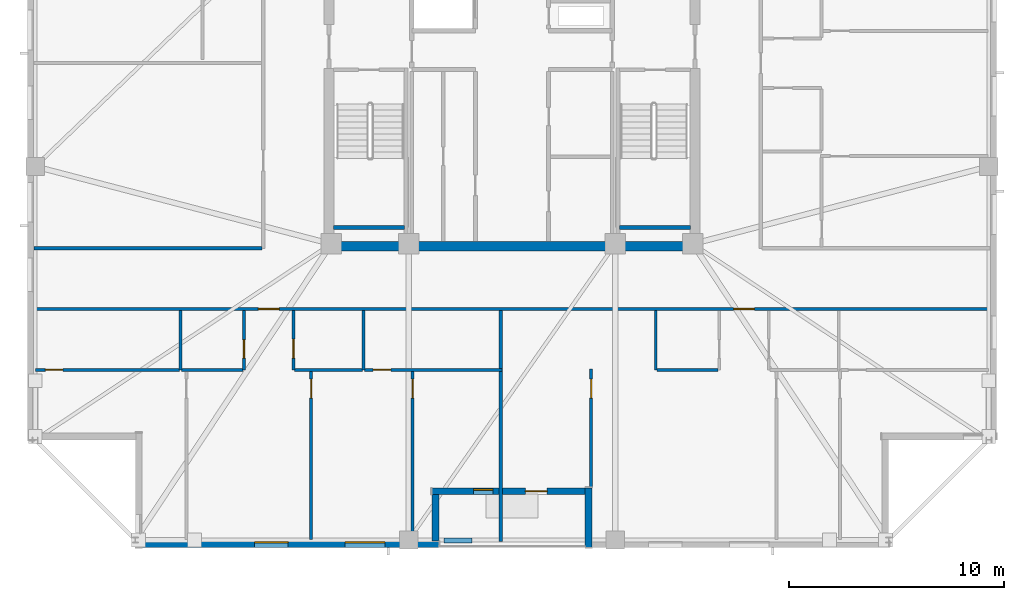
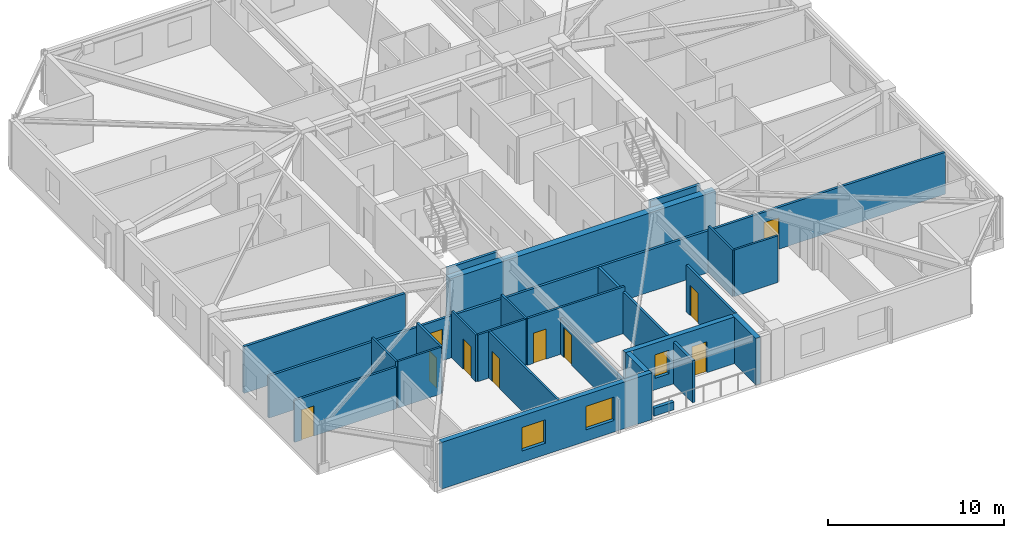
# One storey, part 7 of 17: 24 walls, 10 doors, 3 windows, 13 openings.
"""IFC4 building model written with IfcOpenShell, lengths in metres."""

from ifc_helpers import new_model, si_unit, direction, frame, frame_2d, origin, place, context, subcontext, project, spatial, rectangle, extrude, material, layer, layer_set, type_object, element, fill, save


model = new_model("IFC4")

# Units and contexts
model_context = context("Model", 3, precision=1e-05, world=origin(), true_north=direction((0.0, 1.0)))
body_context = subcontext(model_context, "Body", "Model", "MODEL_VIEW")
ifc_project = project(units=[si_unit("LENGTHUNIT", "METRE"), si_unit("AREAUNIT", "SQUARE_METRE"), si_unit("VOLUMEUNIT", "CUBIC_METRE"), si_unit("PLANEANGLEUNIT", "RADIAN"), si_unit("MASSUNIT", "GRAM", prefix="KILO")], contexts=[model_context])

# Site, building, storey
site_placement = place(None, origin())
site = spatial("IfcSite", under=ifc_project, at=site_placement, CompositionType="ELEMENT")
building_placement = place(site_placement, origin())
building = spatial("IfcBuilding", under=site, at=building_placement, Name="Cairnveth Concourse Tower", CompositionType="ELEMENT")
storey_placement = place(building_placement, frame((0.0, 0.0, 272.5)))
storey = spatial("IfcBuildingStorey", under=building, at=storey_placement, Name="L75", CompositionType="ELEMENT", Elevation=272.5)

# Wall, openings, doors
ifc_material_1 = material(Name="Gypsum Plasterboard Partition", Category="gypsum")
ifc_layer_1 = layer(ifc_material_1, 0.159912109375)
ifc_layer_set_1 = layer_set([ifc_layer_1], Name="Gypsum Plasterboard Partition")
wall_type_1 = type_object("IfcWallType", Name="ACOUSTIC PARTY WALL 180", PredefinedType="PARTITIONING", material=ifc_layer_set_1)
wall_1_placement = place(storey_placement, frame((29.804931640625, 27.577392578125, 0.0), z_axis=(0.0, 0.0, 1.0), x_axis=(1.0, 0.0, 0.0)))
wall_1 = element("IfcWall", 1, at=wall_1_placement, inside=storey, type_object=wall_type_1, Name="Interior Wall IW-L75-035", PredefinedType="PARTITIONING", context=body_context, shape_type="SweptSolid", body=[
    extrude(rectangle(XDim=44.39013671875, YDim=0.159912109375, at=frame_2d((22.195068359375, 0.0))), origin(), (0.0, 0.0, 1.0), 2.907958984375),
])
opening_1_placement = place(wall_1_placement, frame((10.4150390625, 0.0, 0.0)))
opening_1 = element("IfcOpeningElement", 2, at=opening_1_placement, cuts=wall_1, Name="Opening ID10", PredefinedType="OPENING", context=body_context, shape_type="SweptSolid", body=[
    extrude(rectangle(XDim=0.9599609375, YDim=2.179931640625, at=frame_2d((0.47998046875, 1.08984375))), frame((0.0, 0.08984375, 0.0), z_axis=(0.0, -1.0, 0.0), x_axis=(1.0, 0.0, 0.0)), (0.0, 0.0, 1.0), 0.179931640625),
])
opening_2_placement = place(wall_1_placement, frame((32.4951171875, 0.0, 0.0)))
opening_2 = element("IfcOpeningElement", 3, at=opening_2_placement, cuts=wall_1, Name="Opening ID10", PredefinedType="OPENING", context=body_context, shape_type="SweptSolid", body=[
    extrude(rectangle(XDim=0.9599609375, YDim=2.179931640625, at=frame_2d((0.47998046875, 1.08984375))), frame((0.0, 0.08984375, 0.0), z_axis=(0.0, -1.0, 0.0), x_axis=(1.0, 0.0, 0.0)), (0.0, 0.0, 1.0), 0.179931640625),
])
ifc_material_2 = material(Name="Solid Core Hardwood Timber Leaf", Category="wood")
door_type_1 = type_object("IfcDoorType", Name="FLAT ENTRANCE DOOR 960X2150", OperationType="NOTDEFINED", PredefinedType="DOOR", material=ifc_material_2)
door_1_placement = place(opening_1_placement, origin())
door_1 = element("IfcDoor", 4, at=door_1_placement, inside=storey, type_object=door_type_1, Name="Apartment L75S1 Entrance Door", OperationType="SINGLE_SWING_LEFT", OverallHeight=2.179931640625, OverallWidth=0.9599609375, PredefinedType="DOOR", context=body_context, shape_type="SweptSolid", body=[
    extrude(rectangle(XDim=0.9599609375, YDim=2.179931640625, at=frame_2d((0.47998046875, 1.08984375))), frame((0.0, 0.02490234375, 0.0), z_axis=(0.0, -1.0, 0.0), x_axis=(1.0, 0.0, 0.0)), (0.0, 0.0, 1.0), 0.050048828125),
])
fill(opening_1, door_1)
door_2_placement = place(opening_2_placement, origin())
door_2 = element("IfcDoor", 5, at=door_2_placement, inside=storey, type_object=door_type_1, Name="Apartment L75S2 Entrance Door", OperationType="SINGLE_SWING_RIGHT", OverallHeight=2.179931640625, OverallWidth=0.9599609375, PredefinedType="DOOR", context=body_context, shape_type="SweptSolid", body=[
    extrude(rectangle(XDim=0.9599609375, YDim=2.179931640625, at=frame_2d((0.47998046875, 1.08984375))), frame((0.0, 0.02490234375, 0.0), z_axis=(0.0, -1.0, 0.0), x_axis=(1.0, 0.0, 0.0)), (0.0, 0.0, 1.0), 0.050048828125),
])
fill(opening_2, door_2)

# Walls
wall_2_placement = place(storey_placement, frame((29.804931640625, 30.39990234375, 0.0), z_axis=(0.0, 0.0, 1.0), x_axis=(1.0, 0.0, 0.0)))
element("IfcWall", 6, at=wall_2_placement, inside=storey, type_object=wall_type_1, Name="Interior Wall IW-L75-039", PredefinedType="PARTITIONING", context=body_context, shape_type="SweptSolid", body=[
    extrude(rectangle(XDim=10.580078125, YDim=0.159912109375, at=frame_2d((5.2900390625, 0.0))), origin(), (0.0, 0.0, 1.0), 3.239990234375),
])
wall_3_placement = place(storey_placement, frame((51.47998046875, 16.77001953125, 0.0), z_axis=(0.0, 0.0, 1.0), x_axis=(0.0, 1.0, 0.0)))
element("IfcWall", 7, at=wall_3_placement, inside=storey, type_object=wall_type_1, Name="Interior Wall IW-L75-054", PredefinedType="PARTITIONING", context=body_context, shape_type="SweptSolid", body=[
    extrude(rectangle(XDim=10.742431640625, YDim=0.159912109375, at=frame_2d((5.37109375, 0.0))), origin(), (0.0, 0.0, 1.0), 2.907958984375),
])
ifc_material_3 = material(Name="Concrete N65 (65 MPa)", Category="concrete")
ifc_layer_2 = layer(ifc_material_3, 0.449951171875)
ifc_layer_set_2 = layer_set([ifc_layer_2], Name="Concrete N65 (65 MPa)")
wall_type_2 = type_object("IfcWallType", Name="CORE SHEAR WALL 450", PredefinedType="SHEAR", material=ifc_layer_set_2)
wall_4_placement = place(storey_placement, frame((43.27490234375, 30.5, 0.0), z_axis=(0.0, 0.0, 1.0), x_axis=(1.0, 0.0, 0.0)))
element("IfcWall", 8, at=wall_4_placement, inside=storey, type_object=wall_type_2, Name="Core South Shear Wall L75", PredefinedType="SHEAR", context=body_context, shape_type="SweptSolid", body=[
    extrude(rectangle(XDim=17.4501953125, YDim=0.449951171875, at=frame_2d((8.72509765625, 0.0))), origin(), (0.0, 0.0, 1.0), 3.239990234375),
])
ifc_material_4 = material(Name="Concrete N50 (50 MPa)", Category="concrete")
ifc_layer_3 = layer(ifc_material_4, 0.179931640625)
ifc_layer_set_3 = layer_set([ifc_layer_3], Name="Concrete N50 (50 MPa)")
wall_type_3 = type_object("IfcWallType", Name="FIRE SHAFT WALL 180", PredefinedType="SOLIDWALL", material=ifc_layer_set_3)
for number, where, z_axis, x_axis, name in (
    (9, (43.715087890625, 31.360107421875, 0.0), (0.0, 0.0, 1.0), (1.0, 0.0, 0.0), "Stair ST-1 Shaft Wall FAR L75"),
    (10, (57.0048828125, 31.360107421875, 0.0), (0.0, 0.0, 1.0), (1.0, 0.0, 0.0), "Stair ST-2 Shaft Wall FAR L75"),
):
    element("IfcWall", number, at=place(storey_placement, frame(where, z_axis=z_axis, x_axis=x_axis)), inside=storey, type_object=wall_type_3, Name=name, PredefinedType="SOLIDWALL", context=body_context, shape_type="SweptSolid", body=[
        extrude(rectangle(XDim=3.280029296875, YDim=0.179931640625, at=frame_2d((1.64013671875, 0.0))), origin(), (0.0, 0.0, 1.0), 3.239990234375),
    ])

# Wall, opening, door
ifc_layer_4 = layer(ifc_material_1, 0.139892578125)
ifc_layer_set_4 = layer_set([ifc_layer_4], Name="Gypsum Plasterboard Partition")
wall_type_4 = type_object("IfcWallType", Name="GYPSUM STUD PARTITION 140", PredefinedType="PARTITIONING", material=ifc_layer_set_4)
wall_5_placement = place(storey_placement, frame((29.8701171875, 24.74755859375, 0.0), z_axis=(0.0, 0.0, 1.0), x_axis=(1.0, 0.0, 0.0)))
wall_5 = element("IfcWall", 11, at=wall_5_placement, inside=storey, type_object=wall_type_4, Name="Interior Wall IW-L75-050", PredefinedType="PARTITIONING", context=body_context, shape_type="SweptSolid", body=[
    extrude(rectangle(XDim=6.679931640625, YDim=0.139892578125, at=frame_2d((3.33984375, 0.0))), origin(), (0.0, 0.0, 1.0), 2.907958984375),
])
opening_3_placement = place(wall_5_placement, frame((0.449951171875, 0.0, 0.0)))
opening_3 = element("IfcOpeningElement", 12, at=opening_3_placement, cuts=wall_5, Name="Opening ID22", PredefinedType="OPENING", context=body_context, shape_type="SweptSolid", body=[
    extrude(rectangle(XDim=0.820068359375, YDim=2.10009765625, at=frame_2d((0.41015625, 1.050048828125))), frame((0.0, 0.079833984375, 0.0), z_axis=(0.0, -1.0, 0.0), x_axis=(1.0, 0.0, 0.0)), (0.0, 0.0, 1.0), 0.159912109375),
])
door_type_2 = type_object("IfcDoorType", Name="INTERIOR WC DOOR 820X2100", OperationType="NOTDEFINED", PredefinedType="DOOR", material=ifc_material_2)
door_3_placement = place(opening_3_placement, origin())
door_3 = element("IfcDoor", 13, at=door_3_placement, inside=storey, type_object=door_type_2, Name="L75S1 Dressing Door", OperationType="SINGLE_SWING_RIGHT", OverallHeight=2.10009765625, OverallWidth=0.820068359375, PredefinedType="DOOR", context=body_context, shape_type="SweptSolid", body=[
    extrude(rectangle(XDim=0.820068359375, YDim=2.10009765625, at=frame_2d((0.41015625, 1.050048828125))), frame((0.0, 0.02490234375, 0.0), z_axis=(0.0, -1.0, 0.0), x_axis=(1.0, 0.0, 0.0)), (0.0, 0.0, 1.0), 0.050048828125),
])
fill(opening_3, door_3)

wall_6_placement = place(storey_placement, frame((47.3798828125, 16.8798828125, 0.0), z_axis=(0.0, 0.0, 1.0), x_axis=(0.0, 1.0, 0.0)))
wall_6 = element("IfcWall", 14, at=wall_6_placement, inside=storey, type_object=wall_type_4, Name="Interior Wall IW-L75-051", PredefinedType="PARTITIONING", context=body_context, shape_type="SweptSolid", body=[
    extrude(rectangle(XDim=7.90771484375, YDim=0.139892578125, at=frame_2d((3.953857421875, 0.0))), origin(), (0.0, 0.0, 1.0), 2.52294921875),
])
opening_4_placement = place(wall_6_placement, frame((6.5576171875, 0.0, 0.0)))
opening_4 = element("IfcOpeningElement", 15, at=opening_4_placement, cuts=wall_6, Name="Opening ID18", PredefinedType="OPENING", context=body_context, shape_type="SweptSolid", body=[
    extrude(rectangle(XDim=0.8798828125, YDim=2.10009765625, at=frame_2d((0.43994140625, 1.050048828125))), frame((0.0, 0.079833984375, 0.0), z_axis=(0.0, -1.0, 0.0), x_axis=(1.0, 0.0, 0.0)), (0.0, 0.0, 1.0), 0.159912109375),
])
door_type_3 = type_object("IfcDoorType", Name="INTERIOR SINGLE DOOR 880X2100", OperationType="NOTDEFINED", PredefinedType="DOOR", material=ifc_material_2)
door_4_placement = place(opening_4_placement, origin())
door_4 = element("IfcDoor", 16, at=door_4_placement, inside=storey, type_object=door_type_3, Name="L75S1 Bedroom 2 Door", OperationType="SINGLE_SWING_LEFT", OverallHeight=2.10009765625, OverallWidth=0.8798828125, PredefinedType="DOOR", context=body_context, shape_type="SweptSolid", body=[
    extrude(rectangle(XDim=0.8798828125, YDim=2.10009765625, at=frame_2d((0.43994140625, 1.050048828125))), frame((0.0, 0.02490234375, 0.0), z_axis=(0.0, -1.0, 0.0), x_axis=(1.0, 0.0, 0.0)), (0.0, 0.0, 1.0), 0.050048828125),
])
fill(opening_4, door_4)

wall_7_placement = place(storey_placement, frame((45.14990234375, 24.74755859375, 0.0), z_axis=(0.0, 0.0, 1.0), x_axis=(1.0, 0.0, 0.0)))
wall_7 = element("IfcWall", 17, at=wall_7_placement, inside=storey, type_object=wall_type_4, Name="Interior Wall IW-L75-052", PredefinedType="PARTITIONING", context=body_context, shape_type="SweptSolid", body=[
    extrude(rectangle(XDim=6.380126953125, YDim=0.139892578125, at=frame_2d((3.18994140625, 0.0))), origin(), (0.0, 0.0, 1.0), 3.239990234375),
])
opening_5_placement = place(wall_7_placement, frame((0.39990234375, 0.0, 0.0)))
opening_5 = element("IfcOpeningElement", 18, at=opening_5_placement, cuts=wall_7, Name="Opening ID22", PredefinedType="OPENING", context=body_context, shape_type="SweptSolid", body=[
    extrude(rectangle(XDim=0.820068359375, YDim=2.10009765625, at=frame_2d((0.41015625, 1.050048828125))), frame((0.0, 0.079833984375, 0.0), z_axis=(0.0, -1.0, 0.0), x_axis=(1.0, 0.0, 0.0)), (0.0, 0.0, 1.0), 0.159912109375),
])
door_5_placement = place(opening_5_placement, origin())
door_5 = element("IfcDoor", 19, at=door_5_placement, inside=storey, type_object=door_type_2, Name="L75S1 Utility Door", OperationType="SINGLE_SWING_RIGHT", OverallHeight=2.10009765625, OverallWidth=0.820068359375, PredefinedType="DOOR", context=body_context, shape_type="SweptSolid", body=[
    extrude(rectangle(XDim=0.820068359375, YDim=2.10009765625, at=frame_2d((0.41015625, 1.050048828125))), frame((0.0, 0.02490234375, 0.0), z_axis=(0.0, -1.0, 0.0), x_axis=(1.0, 0.0, 0.0)), (0.0, 0.0, 1.0), 0.050048828125),
])
fill(opening_5, door_5)

wall_8_placement = place(storey_placement, frame((42.669921875, 16.8798828125, 0.0), z_axis=(0.0, 0.0, 1.0), x_axis=(0.0, 1.0, 0.0)))
wall_8 = element("IfcWall", 20, at=wall_8_placement, inside=storey, type_object=wall_type_4, Name="Interior Wall IW-L75-053", PredefinedType="PARTITIONING", context=body_context, shape_type="SweptSolid", body=[
    extrude(rectangle(XDim=7.817626953125, YDim=0.139892578125, at=frame_2d((3.90869140625, 0.0))), origin(), (0.0, 0.0, 1.0), 3.239990234375),
])
opening_6_placement = place(wall_8_placement, frame((6.5576171875, 0.0, 0.0)))
opening_6 = element("IfcOpeningElement", 21, at=opening_6_placement, cuts=wall_8, Name="Opening ID18", PredefinedType="OPENING", context=body_context, shape_type="SweptSolid", body=[
    extrude(rectangle(XDim=0.8798828125, YDim=2.10009765625, at=frame_2d((0.43994140625, 1.050048828125))), frame((0.0, 0.079833984375, 0.0), z_axis=(0.0, -1.0, 0.0), x_axis=(1.0, 0.0, 0.0)), (0.0, 0.0, 1.0), 0.159912109375),
])
door_6_placement = place(opening_6_placement, origin())
door_6 = element("IfcDoor", 22, at=door_6_placement, inside=storey, type_object=door_type_3, Name="L75S1 Media Lounge Door", OperationType="SINGLE_SWING_RIGHT", OverallHeight=2.10009765625, OverallWidth=0.8798828125, PredefinedType="DOOR", context=body_context, shape_type="SweptSolid", body=[
    extrude(rectangle(XDim=0.8798828125, YDim=2.10009765625, at=frame_2d((0.43994140625, 1.050048828125))), frame((0.0, 0.02490234375, 0.0), z_axis=(0.0, -1.0, 0.0), x_axis=(1.0, 0.0, 0.0)), (0.0, 0.0, 1.0), 0.050048828125),
])
fill(opening_6, door_6)

wall_9_placement = place(storey_placement, frame((55.679931640625, 19.260009765625, 0.0), z_axis=(0.0, 0.0, 1.0), x_axis=(0.0, 1.0, 0.0)))
wall_9 = element("IfcWall", 23, at=wall_9_placement, inside=storey, type_object=wall_type_4, Name="Interior Wall IW-L75-061", PredefinedType="PARTITIONING", context=body_context, shape_type="SweptSolid", body=[
    extrude(rectangle(XDim=5.527587890625, YDim=0.139892578125, at=frame_2d((2.763671875, 0.0))), origin(), (0.0, 0.0, 1.0), 3.239990234375),
])
opening_7_placement = place(wall_9_placement, frame((4.177490234375, 0.0, 0.0)))
opening_7 = element("IfcOpeningElement", 24, at=opening_7_placement, cuts=wall_9, Name="Opening ID18", PredefinedType="OPENING", context=body_context, shape_type="SweptSolid", body=[
    extrude(rectangle(XDim=0.8798828125, YDim=2.10009765625, at=frame_2d((0.43994140625, 1.050048828125))), frame((0.0, 0.079833984375, 0.0), z_axis=(0.0, -1.0, 0.0), x_axis=(1.0, 0.0, 0.0)), (0.0, 0.0, 1.0), 0.159912109375),
])
door_7_placement = place(opening_7_placement, origin())
door_7 = element("IfcDoor", 25, at=door_7_placement, inside=storey, type_object=door_type_3, Name="L75S2 Master Bedroom Door", OperationType="SINGLE_SWING_RIGHT", OverallHeight=2.10009765625, OverallWidth=0.8798828125, PredefinedType="DOOR", context=body_context, shape_type="SweptSolid", body=[
    extrude(rectangle(XDim=0.8798828125, YDim=2.10009765625, at=frame_2d((0.43994140625, 1.050048828125))), frame((0.0, 0.02490234375, 0.0), z_axis=(0.0, -1.0, 0.0), x_axis=(1.0, 0.0, 0.0)), (0.0, 0.0, 1.0), 0.050048828125),
])
fill(opening_7, door_7)

# Walls
ifc_material_5 = material(Name="Dressed Melbourne Bluestone Cladding", Category="masonry")
ifc_layer_5 = layer(ifc_material_5, 0.219970703125)
ifc_layer_set_5 = layer_set([ifc_layer_5], Name="Dressed Melbourne Bluestone Cladding")
wall_type_5 = type_object("IfcWallType", Name="TERRACE PLANTER CURB WALL 220", PredefinedType="PARAPET", material=ifc_layer_set_5)
wall_10_placement = place(storey_placement, frame((48.85009765625, 16.820068359375, 0.0), z_axis=(0.0, 0.0, 1.0), x_axis=(1.0, 0.0, 0.0)))
element("IfcWall", 26, at=wall_10_placement, inside=storey, type_object=wall_type_5, Name="Exterior Wall PLNT-L75-TERR", PredefinedType="PARAPET", context=body_context, shape_type="SweptSolid", body=[
    extrude(rectangle(XDim=1.2998046875, YDim=0.219970703125, at=frame_2d((0.64990234375, 0.0))), origin(), (0.0, 0.0, 1.0), 0.550048828125),
])
ifc_layer_6 = layer(ifc_material_1, 0.1298828125)
ifc_layer_set_6 = layer_set([ifc_layer_6], Name="Gypsum Plasterboard Partition")
wall_type_6 = type_object("IfcWallType", Name="WET AREA PARTITION 140", PredefinedType="PLUMBINGWALL", material=ifc_layer_set_6)
wall_11_placement = place(storey_placement, frame((36.60009765625, 24.74755859375, 0.0), z_axis=(0.0, 0.0, 1.0), x_axis=(0.0, 1.0, 0.0)))
element("IfcWall", 27, at=wall_11_placement, inside=storey, type_object=wall_type_6, Name="Interior Wall IW-L75-043", PredefinedType="PLUMBINGWALL", context=body_context, shape_type="SweptSolid", body=[
    extrude(rectangle(XDim=2.75, YDim=0.1298828125, at=frame_2d((1.375, 0.0))), origin(), (0.0, 0.0, 1.0), 3.239990234375),
])

# Wall, opening, door
wall_12_placement = place(storey_placement, frame((39.550048828125, 24.74755859375, 0.0), z_axis=(0.0, 0.0, 1.0), x_axis=(0.0, 1.0, 0.0)))
wall_12 = element("IfcWall", 28, at=wall_12_placement, inside=storey, type_object=wall_type_6, Name="Interior Wall IW-L75-044", PredefinedType="PLUMBINGWALL", context=body_context, shape_type="SweptSolid", body=[
    extrude(rectangle(XDim=2.75, YDim=0.1298828125, at=frame_2d((1.375, 0.0))), origin(), (0.0, 0.0, 1.0), 3.239990234375),
])
opening_8_placement = place(wall_12_placement, frame((0.550048828125, 0.0, 0.0)))
opening_8 = element("IfcOpeningElement", 29, at=opening_8_placement, cuts=wall_12, Name="Opening ID21", PredefinedType="OPENING", context=body_context, shape_type="SweptSolid", body=[
    extrude(rectangle(XDim=0.85009765625, YDim=2.080078125, at=frame_2d((0.425048828125, 1.0400390625))), frame((0.0, 0.074951171875, 0.0), z_axis=(0.0, -1.0, 0.0), x_axis=(1.0, 0.0, 0.0)), (0.0, 0.0, 1.0), 0.14990234375),
])
door_type_4 = type_object("IfcDoorType", Name="INTERIOR WC DOOR 850X2100", OperationType="NOTDEFINED", PredefinedType="DOOR", material=ifc_material_2)
door_8_placement = place(opening_8_placement, origin())
door_8 = element("IfcDoor", 30, at=door_8_placement, inside=storey, type_object=door_type_4, Name="L75S1 Bathroom Door", OperationType="SINGLE_SWING_RIGHT", OverallHeight=2.080078125, OverallWidth=0.85009765625, PredefinedType="DOOR", context=body_context, shape_type="SweptSolid", body=[
    extrude(rectangle(XDim=0.85009765625, YDim=2.080078125, at=frame_2d((0.425048828125, 1.0400390625))), frame((0.0, 0.02490234375, 0.0), z_axis=(0.0, -1.0, 0.0), x_axis=(1.0, 0.0, 0.0)), (0.0, 0.0, 1.0), 0.050048828125),
])
fill(opening_8, door_8)

# Walls
wall_13_placement = place(storey_placement, frame((36.64990234375, 24.74755859375, 0.0), z_axis=(0.0, 0.0, 1.0), x_axis=(1.0, 0.0, 0.0)))
element("IfcWall", 31, at=wall_13_placement, inside=storey, type_object=wall_type_6, Name="Interior Wall IW-L75-045", PredefinedType="PLUMBINGWALL", context=body_context, shape_type="SweptSolid", body=[
    extrude(rectangle(XDim=2.85009765625, YDim=0.1298828125, at=frame_2d((1.425048828125, 0.0))), origin(), (0.0, 0.0, 1.0), 3.239990234375),
])
wall_14_placement = place(storey_placement, frame((45.10009765625, 24.74755859375, 0.0), z_axis=(0.0, 0.0, 1.0), x_axis=(0.0, 1.0, 0.0)))
element("IfcWall", 32, at=wall_14_placement, inside=storey, type_object=wall_type_6, Name="Interior Wall IW-L75-046", PredefinedType="PLUMBINGWALL", context=body_context, shape_type="SweptSolid", body=[
    extrude(rectangle(XDim=2.75, YDim=0.1298828125, at=frame_2d((1.375, 0.0))), origin(), (0.0, 0.0, 1.0), 3.239990234375),
])

# Wall, opening, door
wall_15_placement = place(storey_placement, frame((41.85009765625, 24.74755859375, 0.0), z_axis=(0.0, 0.0, 1.0), x_axis=(0.0, 1.0, 0.0)))
wall_15 = element("IfcWall", 33, at=wall_15_placement, inside=storey, type_object=wall_type_6, Name="Interior Wall IW-L75-047", PredefinedType="PLUMBINGWALL", context=body_context, shape_type="SweptSolid", body=[
    extrude(rectangle(XDim=2.75, YDim=0.1298828125, at=frame_2d((1.375, 0.0))), origin(), (0.0, 0.0, 1.0), 3.239990234375),
])
opening_9_placement = place(wall_15_placement, frame((0.550048828125, 0.0, 0.0)))
opening_9 = element("IfcOpeningElement", 34, at=opening_9_placement, cuts=wall_15, Name="Opening ID18", PredefinedType="OPENING", context=body_context, shape_type="SweptSolid", body=[
    extrude(rectangle(XDim=0.8798828125, YDim=2.10009765625, at=frame_2d((0.43994140625, 1.050048828125))), frame((0.0, 0.074951171875, 0.0), z_axis=(0.0, -1.0, 0.0), x_axis=(1.0, 0.0, 0.0)), (0.0, 0.0, 1.0), 0.14990234375),
])
door_9_placement = place(opening_9_placement, origin())
door_9 = element("IfcDoor", 35, at=door_9_placement, inside=storey, type_object=door_type_3, Name="L75S1 Kitchen Door", OperationType="SINGLE_SWING_LEFT", OverallHeight=2.10009765625, OverallWidth=0.8798828125, PredefinedType="DOOR", context=body_context, shape_type="SweptSolid", body=[
    extrude(rectangle(XDim=0.8798828125, YDim=2.10009765625, at=frame_2d((0.43994140625, 1.050048828125))), frame((0.0, 0.02490234375, 0.0), z_axis=(0.0, -1.0, 0.0), x_axis=(1.0, 0.0, 0.0)), (0.0, 0.0, 1.0), 0.050048828125),
])
fill(opening_9, door_9)

# Walls
wall_16_placement = place(storey_placement, frame((41.89990234375, 24.74755859375, 0.0), z_axis=(0.0, 0.0, 1.0), x_axis=(1.0, 0.0, 0.0)))
element("IfcWall", 36, at=wall_16_placement, inside=storey, type_object=wall_type_6, Name="Interior Wall IW-L75-048", PredefinedType="PLUMBINGWALL", context=body_context, shape_type="SweptSolid", body=[
    extrude(rectangle(XDim=3.150146484375, YDim=0.1298828125, at=frame_2d((1.5751953125, 0.0))), origin(), (0.0, 0.0, 1.0), 3.239990234375),
])
wall_17_placement = place(storey_placement, frame((58.679931640625, 24.74755859375, 0.0), z_axis=(0.0, 0.0, 1.0), x_axis=(0.0, 1.0, 0.0)))
element("IfcWall", 37, at=wall_17_placement, inside=storey, type_object=wall_type_6, Name="Interior Wall IW-L75-055", PredefinedType="PLUMBINGWALL", context=body_context, shape_type="SweptSolid", body=[
    extrude(rectangle(XDim=2.75, YDim=0.1298828125, at=frame_2d((1.375, 0.0))), origin(), (0.0, 0.0, 1.0), 3.239990234375),
])
wall_18_placement = place(storey_placement, frame((58.72998046875, 24.74755859375, 0.0), z_axis=(0.0, 0.0, 1.0), x_axis=(1.0, 0.0, 0.0)))
element("IfcWall", 38, at=wall_18_placement, inside=storey, type_object=wall_type_6, Name="Interior Wall IW-L75-057", PredefinedType="PLUMBINGWALL", context=body_context, shape_type="SweptSolid", body=[
    extrude(rectangle(XDim=2.85009765625, YDim=0.1298828125, at=frame_2d((1.425048828125, 0.0))), origin(), (0.0, 0.0, 1.0), 3.239990234375),
])

# Wall, openings, windows
ifc_material_6 = material(Name="Melbourne Buff Fired Clay Brick Masonry", Category="masonry")
ifc_layer_7 = layer(ifc_material_6, 0.320068359375)
ifc_layer_set_7 = layer_set([ifc_layer_7], Name="Melbourne Buff Fired Clay Brick Masonry")
wall_type_7 = type_object("IfcWallType", Name="ZONE 3 BRICK PIER SPANDREL WALL 320", PredefinedType="SOLIDWALL", material=ifc_layer_set_7)
wall_19_placement = place(storey_placement, frame((48.60009765625, 16.659912109375, 0.0), z_axis=(0.0, 0.0, 1.0), x_axis=(-1.0, 0.0, 0.0)))
wall_19 = element("IfcWall", 39, at=wall_19_placement, inside=storey, type_object=wall_type_7, Name="Exterior Wall EW-L75-S00", PredefinedType="SOLIDWALL", context=body_context, shape_type="SweptSolid", body=[
    extrude(rectangle(XDim=13.802001953125, YDim=0.320068359375, at=frame_2d((6.90087890625, 0.0))), origin(), (0.0, 0.0, 1.0), 3.239990234375),
])
opening_10_placement = place(wall_19_placement, frame((2.50048828125, 0.0, 0.800048828125)))
opening_10 = element("IfcOpeningElement", 40, at=opening_10_placement, cuts=wall_19, Name="Opening W08", PredefinedType="OPENING", context=body_context, shape_type="SweptSolid", body=[
    extrude(rectangle(XDim=1.85009765625, YDim=1.6279296875, at=frame_2d((0.925048828125, 0.81396484375))), frame((0.0, 0.169921875, 0.0), z_axis=(0.0, -1.0, 0.0), x_axis=(1.0, 0.0, 0.0)), (0.0, 0.0, 1.0), 0.340087890625),
])
opening_11_placement = place(wall_19_placement, frame((7.00146484375, 0.0, 0.800048828125)))
opening_11 = element("IfcOpeningElement", 41, at=opening_11_placement, cuts=wall_19, Name="Opening W07", PredefinedType="OPENING", context=body_context, shape_type="SweptSolid", body=[
    extrude(rectangle(XDim=1.550048828125, YDim=1.6279296875, at=frame_2d((0.77490234375, 0.81396484375))), frame((0.0, 0.169921875, 0.0), z_axis=(0.0, -1.0, 0.0), x_axis=(1.0, 0.0, 0.0)), (0.0, 0.0, 1.0), 0.340087890625),
])
ifc_material_7 = material(Name="Double Glazed Low-E Clear Glass", Category="glass")
window_type_1 = type_object("IfcWindowType", Name="DEEP-SET APARTMENT LIVING WINDOW 1850X1850", PartitioningType="DOUBLE_PANEL_VERTICAL", PredefinedType="WINDOW", material=ifc_material_7)
window_1_placement = place(opening_10_placement, origin())
window_1 = element("IfcWindow", 42, at=window_1_placement, inside=storey, type_object=window_type_1, Name="Gothic Lancet Window L75-0-1", OverallHeight=1.6279296875, OverallWidth=1.85009765625, PartitioningType="SINGLE_PANEL", PredefinedType="WINDOW", context=body_context, shape_type="SweptSolid", body=[
    extrude(rectangle(XDim=1.85009765625, YDim=1.6279296875, at=frame_2d((0.925048828125, 0.81396484375))), frame((0.0, -0.050048828125, 0.0), z_axis=(0.0, -1.0, 0.0), x_axis=(1.0, 0.0, 0.0)), (0.0, 0.0, 1.0), 0.06005859375),
])
fill(opening_10, window_1)
window_type_2 = type_object("IfcWindowType", Name="DEEP-SET APARTMENT WINDOW 1550X1800", PartitioningType="DOUBLE_PANEL_VERTICAL", PredefinedType="WINDOW", material=ifc_material_7)
window_2_placement = place(opening_11_placement, origin())
window_2 = element("IfcWindow", 43, at=window_2_placement, inside=storey, type_object=window_type_2, Name="Gothic Lancet Window L75-0-2", OverallHeight=1.6279296875, OverallWidth=1.550048828125, PartitioningType="SINGLE_PANEL", PredefinedType="WINDOW", context=body_context, shape_type="SweptSolid", body=[
    extrude(rectangle(XDim=1.550048828125, YDim=1.6279296875, at=frame_2d((0.77490234375, 0.81396484375))), frame((0.0, -0.050048828125, 0.0), z_axis=(0.0, -1.0, 0.0), x_axis=(1.0, 0.0, 0.0)), (0.0, 0.0, 1.0), 0.06005859375),
])
fill(opening_11, window_2)

# Wall
wall_20_placement = place(storey_placement, frame((55.56005859375, 16.5, 0.0), z_axis=(0.0, 0.0, 1.0), x_axis=(0.0, 1.0, 0.0)))
element("IfcWall", 44, at=wall_20_placement, inside=storey, type_object=wall_type_7, Name="Exterior Wall EW-L75-S13", PredefinedType="SOLIDWALL", context=body_context, shape_type="SweptSolid", body=[
    extrude(rectangle(XDim=2.77001953125, YDim=0.320068359375, at=frame_2d((1.385009765625, 0.0))), origin(), (0.0, 0.0, 1.0), 3.239990234375),
])

# Wall, openings, window, door
wall_21_placement = place(storey_placement, frame((55.422119140625, 19.110107421875, 0.0), z_axis=(0.0, 0.0, 1.0), x_axis=(-1.0, 0.0, 0.0)))
wall_21 = element("IfcWall", 45, at=wall_21_placement, inside=storey, type_object=wall_type_7, Name="Exterior Wall EW-L75-S14", PredefinedType="SOLIDWALL", context=body_context, shape_type="SweptSolid", body=[
    extrude(rectangle(XDim=7.14208984375, YDim=0.320068359375, at=frame_2d((3.571044921875, 0.0))), origin(), (0.0, 0.0, 1.0), 3.239990234375),
])
opening_12_placement = place(wall_21_placement, frame((1.7958984375, 0.0, 0.0)))
opening_12 = element("IfcOpeningElement", 46, at=opening_12_placement, cuts=wall_21, Name="Opening ED4", PredefinedType="OPENING", context=body_context, shape_type="SweptSolid", body=[
    extrude(rectangle(XDim=1.0, YDim=2.14990234375, at=frame_2d((0.5, 1.074951171875))), frame((0.0, 0.169921875, 0.0), z_axis=(0.0, -1.0, 0.0), x_axis=(1.0, 0.0, 0.0)), (0.0, 0.0, 1.0), 0.340087890625),
])
opening_13_placement = place(wall_21_placement, frame((4.31005859375, 0.0, 0.800048828125)))
opening_13 = element("IfcOpeningElement", 47, at=opening_13_placement, cuts=wall_21, Name="Opening W13", PredefinedType="OPENING", context=body_context, shape_type="SweptSolid", body=[
    extrude(rectangle(XDim=0.89990234375, YDim=1.6279296875, at=frame_2d((0.449951171875, 0.81396484375))), frame((0.0, 0.169921875, 0.0), z_axis=(0.0, -1.0, 0.0), x_axis=(1.0, 0.0, 0.0)), (0.0, 0.0, 1.0), 0.340087890625),
])
window_type_3 = type_object("IfcWindowType", Name="DEEP-SET BEDROOM LANCET WINDOW 900X1750", PartitioningType="DOUBLE_PANEL_VERTICAL", PredefinedType="WINDOW", material=ifc_material_7)
window_3_placement = place(opening_13_placement, origin())
window_3 = element("IfcWindow", 48, at=window_3_placement, inside=storey, type_object=window_type_3, Name="Dwelling Lancet Window L75-DW2", OverallHeight=1.6279296875, OverallWidth=0.89990234375, PartitioningType="SINGLE_PANEL", PredefinedType="WINDOW", context=body_context, shape_type="SweptSolid", body=[
    extrude(rectangle(XDim=0.89990234375, YDim=1.6279296875, at=frame_2d((0.449951171875, 0.81396484375))), frame((0.0, -0.0400390625, 0.0), z_axis=(0.0, -1.0, 0.0), x_axis=(1.0, 0.0, 0.0)), (0.0, 0.0, 1.0), 0.06005859375),
])
fill(opening_13, window_3)
ifc_material_8 = material(Name="Architectural Bronze Anodised Aluminium 6063-T6", Category="aluminium")
door_type_5 = type_object("IfcDoorType", Name="TERRACE GLAZED DOOR 1000X2150", OperationType="NOTDEFINED", PredefinedType="DOOR", material=ifc_material_8)
door_10_placement = place(opening_12_placement, origin())
door_10 = element("IfcDoor", 49, at=door_10_placement, inside=storey, type_object=door_type_5, Name="Spiral Terrace Door L75", OperationType="SINGLE_SWING_RIGHT", OverallHeight=2.14990234375, OverallWidth=1.0, PredefinedType="DOOR", context=body_context, shape_type="SweptSolid", body=[
    extrude(rectangle(XDim=1.0, YDim=2.14990234375, at=frame_2d((0.5, 1.074951171875))), frame((0.0, 0.02490234375, 0.0), z_axis=(0.0, -1.0, 0.0), x_axis=(1.0, 0.0, 0.0)), (0.0, 0.0, 1.0), 0.050048828125),
])
fill(opening_12, door_10)

# Wall
wall_22_placement = place(storey_placement, frame((48.43994140625, 18.971923828125, 0.0), z_axis=(0.0, 0.0, 1.0), x_axis=(0.0, -1.0, 0.0)))
element("IfcWall", 50, at=wall_22_placement, inside=storey, type_object=wall_type_7, Name="Exterior Wall EW-L75-S15", PredefinedType="SOLIDWALL", context=body_context, shape_type="SweptSolid", body=[
    extrude(rectangle(XDim=2.173828125, YDim=0.320068359375, at=frame_2d((1.0869140625, 0.0))), origin(), (0.0, 0.0, 1.0), 3.239990234375),
])

save(model, "model.ifc")
